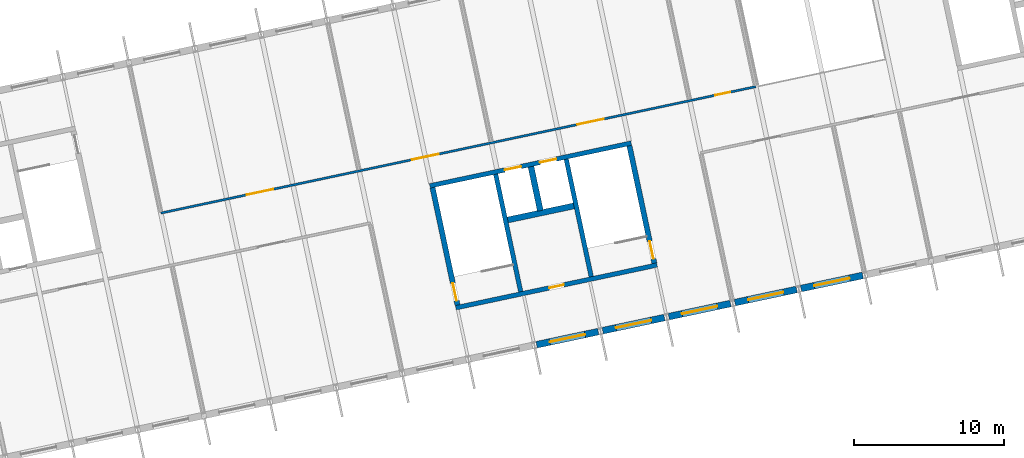
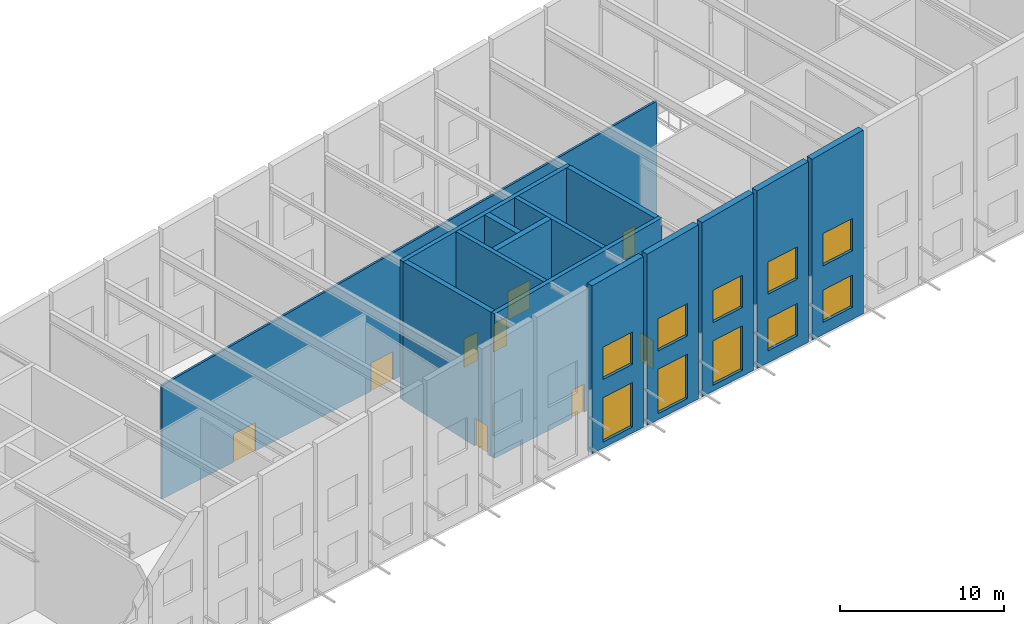
# One storey, part 44 of 69: 14 walls, 10 windows, 9 doors, 19 openings.
"""IFC4 building model written with IfcOpenShell, lengths in metres."""

from ifc_helpers import new_model, si_unit, direction, frame, frame_2d, origin, place, context, subcontext, project, spatial, polyline, rectangle, outline, extrude, material, layer, layer_set, type_object, element, fill, save


model = new_model("IFC4")

# Units and contexts
model_context = context("Model", 3, precision=1e-05, world=origin(), true_north=direction((0.0, 1.0)))
body_context = subcontext(model_context, "Body", "Model", "MODEL_VIEW")
ifc_project = project(units=[si_unit("LENGTHUNIT", "METRE"), si_unit("AREAUNIT", "SQUARE_METRE"), si_unit("VOLUMEUNIT", "CUBIC_METRE"), si_unit("PLANEANGLEUNIT", "RADIAN"), si_unit("MASSUNIT", "GRAM", prefix="KILO")], contexts=[model_context])

# Site, building, storey
site_placement = place(None, origin())
site = spatial("IfcSite", under=ifc_project, at=site_placement, CompositionType="ELEMENT")
building_placement = place(site_placement, origin())
building = spatial("IfcBuilding", under=site, at=building_placement, Name="Okhra Congress Centre", CompositionType="ELEMENT")
storey_placement = place(building_placement, frame((0.0, 0.0, 16.800048828125)))
storey = spatial("IfcBuildingStorey", under=building, at=storey_placement, Name="L03", CompositionType="ELEMENT", Elevation=16.800048828125)

# Wall, openings, windows
ifc_material_1 = material(Name="Insulated metal panel on steel stud (mineral wool, vapour barrier)", Category="steel")
ifc_layer_1 = layer(ifc_material_1, 0.449951171875)
ifc_layer_set_1 = layer_set([ifc_layer_1], Name="Insulated wall 450")
wall_type_1 = type_object("IfcWallType", Name="Insulated wall 450", PredefinedType="SOLIDWALL", material=ifc_layer_set_1)
wall_1_placement = place(storey_placement, frame((140.3876953125, 43.68115234375, 0.0), z_axis=(0.0, 0.0, 1.0), x_axis=(0.978143927149, 0.207928972925, 0.0)))
wall_1 = element("IfcWall", 1, at=wall_1_placement, inside=storey, type_object=wall_type_1, Name="External wall S19 L03", PredefinedType="SOLIDWALL", context=body_context, shape_type="SweptSolid", body=[
    extrude(outline(polyline([(0.0, 0.0), (4.199951171875, 0.0), (4.199951171875, 12.6865234375), (0.0, 12.4619140625), (0.0, 0.0)])), frame((0.0, 0.22509765625, 0.0), z_axis=(0.0, -1.0, 0.0), x_axis=(1.0, 0.0, 0.0)), (0.0, 0.0, 1.0), 0.449951171875),
])
opening_1_placement = place(wall_1_placement, frame((0.89990234375, 0.0, 0.449951171875)))
opening_1 = element("IfcOpeningElement", 2, at=opening_1_placement, cuts=wall_1, Name="Opening WN21", PredefinedType="OPENING", context=body_context, shape_type="SweptSolid", body=[
    extrude(rectangle(XDim=2.39990234375, YDim=3.300048828125, at=frame_2d((1.199951171875, 1.64990234375))), frame((0.0, 0.23486328125, 0.0), z_axis=(0.0, -1.0, 0.0), x_axis=(1.0, 0.0, 0.0)), (0.0, 0.0, 1.0), 0.469970703125),
])
opening_2_placement = place(wall_1_placement, frame((0.89990234375, 0.0, 5.10009765625)))
opening_2 = element("IfcOpeningElement", 3, at=opening_2_placement, cuts=wall_1, Name="Opening WN22", PredefinedType="OPENING", context=body_context, shape_type="SweptSolid", body=[
    extrude(rectangle(XDim=2.39990234375, YDim=2.39990234375, at=frame_2d((1.199951171875, 1.199951171875))), frame((0.0, 0.23486328125, 0.0), z_axis=(0.0, -1.0, 0.0), x_axis=(1.0, 0.0, 0.0)), (0.0, 0.0, 1.0), 0.469970703125),
])
ifc_material_2 = material(Name="Thermally broken aluminium frame, triple glazing", Category="aluminium")
window_type_1 = type_object("IfcWindowType", Name="Fixed window 2400x2400", PartitioningType="SINGLE_PANEL", PredefinedType="WINDOW", material=ifc_material_2)
window_1_placement = place(opening_2_placement, origin())
window_1 = element("IfcWindow", 4, at=window_1_placement, inside=storey, type_object=window_type_1, Name="BX.WIN.L03.30", OverallHeight=2.39990234375, OverallWidth=2.39990234375, PartitioningType="SINGLE_PANEL", PredefinedType="WINDOW", context=body_context, shape_type="SweptSolid", body=[
    extrude(rectangle(XDim=2.39990234375, YDim=2.39990234375, at=frame_2d((1.199951171875, 1.199951171875))), frame((0.0, 0.030029296875, 0.0), z_axis=(0.0, -1.0, 0.0), x_axis=(1.0, 0.0, 0.0)), (0.0, 0.0, 1.0), 0.06005859375),
])
fill(opening_2, window_1)
window_type_2 = type_object("IfcWindowType", Name="Two-light window 2400x3300", PartitioningType="DOUBLE_PANEL_VERTICAL", PredefinedType="WINDOW", material=ifc_material_2)
window_2_placement = place(opening_1_placement, origin())
window_2 = element("IfcWindow", 5, at=window_2_placement, inside=storey, type_object=window_type_2, Name="BX.WIN.L03.29", OverallHeight=3.300048828125, OverallWidth=2.39990234375, PartitioningType="DOUBLE_PANEL_VERTICAL", PredefinedType="WINDOW", context=body_context, shape_type="SweptSolid", body=[
    extrude(rectangle(XDim=2.39990234375, YDim=3.300048828125, at=frame_2d((1.199951171875, 1.64990234375))), frame((0.0, 0.030029296875, 0.0), z_axis=(0.0, -1.0, 0.0), x_axis=(1.0, 0.0, 0.0)), (0.0, 0.0, 1.0), 0.06005859375),
])
fill(opening_1, window_2)

wall_2_placement = place(storey_placement, frame((144.789306640625, 44.616943359375, 0.0), z_axis=(0.0, 0.0, 1.0), x_axis=(0.978155748334, 0.207873355681, 0.0)))
wall_2 = element("IfcWall", 6, at=wall_2_placement, inside=storey, type_object=wall_type_1, Name="External wall S20 L03", PredefinedType="SOLIDWALL", context=body_context, shape_type="SweptSolid", body=[
    extrude(outline(polyline([(0.0, 0.0), (4.199951171875, 0.0), (4.199951171875, 12.92724609375), (0.0, 12.70263671875), (0.0, 0.0)])), frame((0.0, 0.22509765625, 0.0), z_axis=(0.0, -1.0, 0.0), x_axis=(1.0, 0.0, 0.0)), (0.0, 0.0, 1.0), 0.449951171875),
])
opening_3_placement = place(wall_2_placement, frame((0.89990234375, 0.0, 0.449951171875)))
opening_3 = element("IfcOpeningElement", 7, at=opening_3_placement, cuts=wall_2, Name="Opening WN21", PredefinedType="OPENING", context=body_context, shape_type="SweptSolid", body=[
    extrude(rectangle(XDim=2.39990234375, YDim=3.300048828125, at=frame_2d((1.199951171875, 1.64990234375))), frame((0.0, 0.23486328125, 0.0), z_axis=(0.0, -1.0, 0.0), x_axis=(1.0, 0.0, 0.0)), (0.0, 0.0, 1.0), 0.469970703125),
])
opening_4_placement = place(wall_2_placement, frame((0.89990234375, 0.0, 5.10009765625)))
opening_4 = element("IfcOpeningElement", 8, at=opening_4_placement, cuts=wall_2, Name="Opening WN22", PredefinedType="OPENING", context=body_context, shape_type="SweptSolid", body=[
    extrude(rectangle(XDim=2.39990234375, YDim=2.39990234375, at=frame_2d((1.199951171875, 1.199951171875))), frame((0.0, 0.23486328125, 0.0), z_axis=(0.0, -1.0, 0.0), x_axis=(1.0, 0.0, 0.0)), (0.0, 0.0, 1.0), 0.469970703125),
])
window_3_placement = place(opening_4_placement, origin())
window_3 = element("IfcWindow", 9, at=window_3_placement, inside=storey, type_object=window_type_1, Name="BX.WIN.L03.32", OverallHeight=2.39990234375, OverallWidth=2.39990234375, PartitioningType="SINGLE_PANEL", PredefinedType="WINDOW", context=body_context, shape_type="SweptSolid", body=[
    extrude(rectangle(XDim=2.39990234375, YDim=2.39990234375, at=frame_2d((1.199951171875, 1.199951171875))), frame((0.0, 0.030029296875, 0.0), z_axis=(0.0, -1.0, 0.0), x_axis=(1.0, 0.0, 0.0)), (0.0, 0.0, 1.0), 0.06005859375),
])
fill(opening_4, window_3)
window_4_placement = place(opening_3_placement, origin())
window_4 = element("IfcWindow", 10, at=window_4_placement, inside=storey, type_object=window_type_2, Name="BX.WIN.L03.31", OverallHeight=3.300048828125, OverallWidth=2.39990234375, PartitioningType="DOUBLE_PANEL_VERTICAL", PredefinedType="WINDOW", context=body_context, shape_type="SweptSolid", body=[
    extrude(rectangle(XDim=2.39990234375, YDim=3.300048828125, at=frame_2d((1.199951171875, 1.64990234375))), frame((0.0, 0.030029296875, 0.0), z_axis=(0.0, -1.0, 0.0), x_axis=(1.0, 0.0, 0.0)), (0.0, 0.0, 1.0), 0.06005859375),
])
fill(opening_3, window_4)

wall_3_placement = place(storey_placement, frame((149.19091796875, 45.552490234375, 0.0), z_axis=(0.0, 0.0, 1.0), x_axis=(0.978146440129, 0.207917150959, 0.0)))
wall_3 = element("IfcWall", 11, at=wall_3_placement, inside=storey, type_object=wall_type_1, Name="External wall S21 L03", PredefinedType="SOLIDWALL", context=body_context, shape_type="SweptSolid", body=[
    extrude(outline(polyline([(0.0, 0.0), (4.2001953125, 0.0), (4.199951171875, 13.168212890625), (0.0, 12.943359375), (0.0, 0.0)])), frame((0.0, 0.22509765625, 0.0), z_axis=(0.0, -1.0, 0.0), x_axis=(1.0, 0.0, 0.0)), (0.0, 0.0, 1.0), 0.449951171875),
])
opening_5_placement = place(wall_3_placement, frame((0.89990234375, 0.0, 0.449951171875)))
opening_5 = element("IfcOpeningElement", 12, at=opening_5_placement, cuts=wall_3, Name="Opening WN21", PredefinedType="OPENING", context=body_context, shape_type="SweptSolid", body=[
    extrude(rectangle(XDim=2.39990234375, YDim=3.300048828125, at=frame_2d((1.199951171875, 1.64990234375))), frame((0.0, 0.23486328125, 0.0), z_axis=(0.0, -1.0, 0.0), x_axis=(1.0, 0.0, 0.0)), (0.0, 0.0, 1.0), 0.469970703125),
])
opening_6_placement = place(wall_3_placement, frame((0.89990234375, 0.0, 5.10009765625)))
opening_6 = element("IfcOpeningElement", 13, at=opening_6_placement, cuts=wall_3, Name="Opening WN22", PredefinedType="OPENING", context=body_context, shape_type="SweptSolid", body=[
    extrude(rectangle(XDim=2.39990234375, YDim=2.39990234375, at=frame_2d((1.199951171875, 1.199951171875))), frame((0.0, 0.23486328125, 0.0), z_axis=(0.0, -1.0, 0.0), x_axis=(1.0, 0.0, 0.0)), (0.0, 0.0, 1.0), 0.469970703125),
])
window_5_placement = place(opening_6_placement, origin())
window_5 = element("IfcWindow", 14, at=window_5_placement, inside=storey, type_object=window_type_1, Name="BX.WIN.L03.34", OverallHeight=2.39990234375, OverallWidth=2.39990234375, PartitioningType="SINGLE_PANEL", PredefinedType="WINDOW", context=body_context, shape_type="SweptSolid", body=[
    extrude(rectangle(XDim=2.39990234375, YDim=2.39990234375, at=frame_2d((1.199951171875, 1.199951171875))), frame((0.0, 0.030029296875, 0.0), z_axis=(0.0, -1.0, 0.0), x_axis=(1.0, 0.0, 0.0)), (0.0, 0.0, 1.0), 0.06005859375),
])
fill(opening_6, window_5)
window_6_placement = place(opening_5_placement, origin())
window_6 = element("IfcWindow", 15, at=window_6_placement, inside=storey, type_object=window_type_2, Name="BX.WIN.L03.33", OverallHeight=3.300048828125, OverallWidth=2.39990234375, PartitioningType="DOUBLE_PANEL_VERTICAL", PredefinedType="WINDOW", context=body_context, shape_type="SweptSolid", body=[
    extrude(rectangle(XDim=2.39990234375, YDim=3.300048828125, at=frame_2d((1.199951171875, 1.64990234375))), frame((0.0, 0.030029296875, 0.0), z_axis=(0.0, -1.0, 0.0), x_axis=(1.0, 0.0, 0.0)), (0.0, 0.0, 1.0), 0.06005859375),
])
fill(opening_5, window_6)

wall_4_placement = place(storey_placement, frame((153.5927734375, 46.488037109375, 0.0), z_axis=(0.0, 0.0, 1.0), x_axis=(0.978143927149, 0.207928972925, 0.0)))
wall_4 = element("IfcWall", 16, at=wall_4_placement, inside=storey, type_object=wall_type_1, Name="External wall S22 L03", PredefinedType="SOLIDWALL", context=body_context, shape_type="SweptSolid", body=[
    extrude(outline(polyline([(0.0, 0.0), (4.199951171875, 0.0), (4.199951171875, 13.408935546875), (0.0, 13.18408203125), (0.0, 0.0)])), frame((0.0, 0.22509765625, 0.0), z_axis=(0.0, -1.0, 0.0), x_axis=(1.0, 0.0, 0.0)), (0.0, 0.0, 1.0), 0.449951171875),
])
opening_7_placement = place(wall_4_placement, frame((0.89990234375, 0.0, 0.89990234375)))
opening_7 = element("IfcOpeningElement", 17, at=opening_7_placement, cuts=wall_4, Name="Opening WN22", PredefinedType="OPENING", context=body_context, shape_type="SweptSolid", body=[
    extrude(rectangle(XDim=2.39990234375, YDim=2.39990234375, at=frame_2d((1.199951171875, 1.199951171875))), frame((0.0, 0.23486328125, 0.0), z_axis=(0.0, -1.0, 0.0), x_axis=(1.0, 0.0, 0.0)), (0.0, 0.0, 1.0), 0.469970703125),
])
opening_8_placement = place(wall_4_placement, frame((0.89990234375, 0.0, 5.10009765625)))
opening_8 = element("IfcOpeningElement", 18, at=opening_8_placement, cuts=wall_4, Name="Opening WN22", PredefinedType="OPENING", context=body_context, shape_type="SweptSolid", body=[
    extrude(rectangle(XDim=2.39990234375, YDim=2.39990234375, at=frame_2d((1.199951171875, 1.199951171875))), frame((0.0, 0.23486328125, 0.0), z_axis=(0.0, -1.0, 0.0), x_axis=(1.0, 0.0, 0.0)), (0.0, 0.0, 1.0), 0.469970703125),
])
window_7_placement = place(opening_7_placement, origin())
window_7 = element("IfcWindow", 19, at=window_7_placement, inside=storey, type_object=window_type_1, Name="BX.WIN.L03.35", OverallHeight=2.39990234375, OverallWidth=2.39990234375, PartitioningType="SINGLE_PANEL", PredefinedType="WINDOW", context=body_context, shape_type="SweptSolid", body=[
    extrude(rectangle(XDim=2.39990234375, YDim=2.39990234375, at=frame_2d((1.199951171875, 1.199951171875))), frame((0.0, 0.030029296875, 0.0), z_axis=(0.0, -1.0, 0.0), x_axis=(1.0, 0.0, 0.0)), (0.0, 0.0, 1.0), 0.06005859375),
])
fill(opening_7, window_7)
window_8_placement = place(opening_8_placement, origin())
window_8 = element("IfcWindow", 20, at=window_8_placement, inside=storey, type_object=window_type_1, Name="BX.WIN.L03.36", OverallHeight=2.39990234375, OverallWidth=2.39990234375, PartitioningType="SINGLE_PANEL", PredefinedType="WINDOW", context=body_context, shape_type="SweptSolid", body=[
    extrude(rectangle(XDim=2.39990234375, YDim=2.39990234375, at=frame_2d((1.199951171875, 1.199951171875))), frame((0.0, 0.030029296875, 0.0), z_axis=(0.0, -1.0, 0.0), x_axis=(1.0, 0.0, 0.0)), (0.0, 0.0, 1.0), 0.06005859375),
])
fill(opening_8, window_8)

wall_5_placement = place(storey_placement, frame((157.994384765625, 47.423583984375, 0.0), z_axis=(0.0, 0.0, 1.0), x_axis=(0.978143927149, 0.207928972925, 0.0)))
wall_5 = element("IfcWall", 21, at=wall_5_placement, inside=storey, type_object=wall_type_1, Name="External wall S23 L03", PredefinedType="SOLIDWALL", context=body_context, shape_type="SweptSolid", body=[
    extrude(outline(polyline([(0.0, 0.0), (4.199951171875, 0.0), (4.199951171875, 13.649658203125), (0.0, 13.425048828125), (0.0, 0.0)])), frame((0.0, 0.22509765625, 0.0), z_axis=(0.0, -1.0, 0.0), x_axis=(1.0, 0.0, 0.0)), (0.0, 0.0, 1.0), 0.449951171875),
])
opening_9_placement = place(wall_5_placement, frame((0.89990234375, 0.0, 0.89990234375)))
opening_9 = element("IfcOpeningElement", 22, at=opening_9_placement, cuts=wall_5, Name="Opening WN22", PredefinedType="OPENING", context=body_context, shape_type="SweptSolid", body=[
    extrude(rectangle(XDim=2.39990234375, YDim=2.39990234375, at=frame_2d((1.199951171875, 1.199951171875))), frame((0.0, 0.23486328125, 0.0), z_axis=(0.0, -1.0, 0.0), x_axis=(1.0, 0.0, 0.0)), (0.0, 0.0, 1.0), 0.469970703125),
])
opening_10_placement = place(wall_5_placement, frame((0.89990234375, 0.0, 5.10009765625)))
opening_10 = element("IfcOpeningElement", 23, at=opening_10_placement, cuts=wall_5, Name="Opening WN22", PredefinedType="OPENING", context=body_context, shape_type="SweptSolid", body=[
    extrude(rectangle(XDim=2.39990234375, YDim=2.39990234375, at=frame_2d((1.199951171875, 1.199951171875))), frame((0.0, 0.23486328125, 0.0), z_axis=(0.0, -1.0, 0.0), x_axis=(1.0, 0.0, 0.0)), (0.0, 0.0, 1.0), 0.469970703125),
])
window_9_placement = place(opening_9_placement, origin())
window_9 = element("IfcWindow", 24, at=window_9_placement, inside=storey, type_object=window_type_1, Name="BX.WIN.L03.37", OverallHeight=2.39990234375, OverallWidth=2.39990234375, PartitioningType="SINGLE_PANEL", PredefinedType="WINDOW", context=body_context, shape_type="SweptSolid", body=[
    extrude(rectangle(XDim=2.39990234375, YDim=2.39990234375, at=frame_2d((1.199951171875, 1.199951171875))), frame((0.0, 0.030029296875, 0.0), z_axis=(0.0, -1.0, 0.0), x_axis=(1.0, 0.0, 0.0)), (0.0, 0.0, 1.0), 0.06005859375),
])
fill(opening_9, window_9)
window_10_placement = place(opening_10_placement, origin())
window_10 = element("IfcWindow", 25, at=window_10_placement, inside=storey, type_object=window_type_1, Name="BX.WIN.L03.38", OverallHeight=2.39990234375, OverallWidth=2.39990234375, PartitioningType="SINGLE_PANEL", PredefinedType="WINDOW", context=body_context, shape_type="SweptSolid", body=[
    extrude(rectangle(XDim=2.39990234375, YDim=2.39990234375, at=frame_2d((1.199951171875, 1.199951171875))), frame((0.0, 0.030029296875, 0.0), z_axis=(0.0, -1.0, 0.0), x_axis=(1.0, 0.0, 0.0)), (0.0, 0.0, 1.0), 0.06005859375),
])
fill(opening_10, window_10)

# Wall, openings, doors
ifc_material_3 = material(Name="Gypsum board on steel studs", Category="steel")
ifc_layer_2 = layer(ifc_material_3, 0.14990234375)
ifc_layer_set_2 = layer_set([ifc_layer_2], Name="Partition 150 EI 15")
wall_type_2 = type_object("IfcWallType", Name="Partition 150 EI 15", PredefinedType="PARTITIONING", material=ifc_layer_set_2)
wall_6_placement = place(storey_placement, frame((115.36865234375, 52.446044921875, 0.0), z_axis=(0.0, 0.0, 1.0), x_axis=(0.978147680869, 0.207911313813, 0.0)))
wall_6 = element("IfcWall", 26, at=wall_6_placement, inside=storey, type_object=wall_type_2, Name="Corridor wall N2 L03", PredefinedType="PARTITIONING", context=body_context, shape_type="SweptSolid", body=[
    extrude(outline(polyline([(0.0, 0.0), (40.5, 0.0), (40.5, 10.594970703125), (0.0, 8.427978515625), (0.0, 0.0)])), frame((0.0, 0.074951171875, 0.0), z_axis=(0.0, -1.0, 0.0), x_axis=(1.0, 0.0, 0.0)), (0.0, 0.0, 1.0), 0.14990234375),
])
opening_11_placement = place(wall_6_placement, frame((5.85009765625, 0.0, 0.0)))
opening_11 = element("IfcOpeningElement", 27, at=opening_11_placement, cuts=wall_6, Name="Opening L03-059", PredefinedType="OPENING", context=body_context, shape_type="SweptSolid", body=[
    extrude(rectangle(XDim=1.800048828125, YDim=2.10009765625, at=frame_2d((0.89990234375, 1.050048828125))), frame((0.0, 0.0849609375, 0.0), z_axis=(0.0, -1.0, 0.0), x_axis=(1.0, 0.0, 0.0)), (0.0, 0.0, 1.0), 0.169921875),
])
opening_12_placement = place(wall_6_placement, frame((17.10009765625, 0.0, 0.0)))
opening_12 = element("IfcOpeningElement", 28, at=opening_12_placement, cuts=wall_6, Name="Opening L03-060", PredefinedType="OPENING", context=body_context, shape_type="SweptSolid", body=[
    extrude(rectangle(XDim=1.800048828125, YDim=2.10009765625, at=frame_2d((0.89990234375, 1.050048828125))), frame((0.0, 0.0849609375, 0.0), z_axis=(0.0, -1.0, 0.0), x_axis=(1.0, 0.0, 0.0)), (0.0, 0.0, 1.0), 0.169921875),
])
opening_13_placement = place(wall_6_placement, frame((28.35009765625, 0.0, 0.0)))
opening_13 = element("IfcOpeningElement", 29, at=opening_13_placement, cuts=wall_6, Name="Opening L03-061", PredefinedType="OPENING", context=body_context, shape_type="SweptSolid", body=[
    extrude(rectangle(XDim=1.800048828125, YDim=2.10009765625, at=frame_2d((0.89990234375, 1.050048828125))), frame((0.0, 0.0849609375, 0.0), z_axis=(0.0, -1.0, 0.0), x_axis=(1.0, 0.0, 0.0)), (0.0, 0.0, 1.0), 0.169921875),
])
opening_14_placement = place(wall_6_placement, frame((37.75, 0.0, 0.0)))
opening_14 = element("IfcOpeningElement", 30, at=opening_14_placement, cuts=wall_6, Name="Opening L03-062", PredefinedType="OPENING", context=body_context, shape_type="SweptSolid", body=[
    extrude(rectangle(XDim=1.0, YDim=2.10009765625, at=frame_2d((0.5, 1.050048828125))), frame((0.0, 0.0849609375, 0.0), z_axis=(0.0, -1.0, 0.0), x_axis=(1.0, 0.0, 0.0)), (0.0, 0.0, 1.0), 0.169921875),
])
ifc_material_4 = material(Name="Timber door leaves in steel frame", Category="steel")
door_type_1 = type_object("IfcDoorType", Name="Double swing door 1800x2100", OperationType="NOTDEFINED", PredefinedType="DOOR", material=ifc_material_4)
door_1_placement = place(opening_11_placement, frame((1.800048828125, 0.0, 0.0), z_axis=(0.0, 0.0, 1.0), x_axis=(-1.0, 0.0, 0.0)))
door_1 = element("IfcDoor", 31, at=door_1_placement, inside=storey, type_object=door_type_1, Name="Door L03-059", OperationType="DOUBLE_DOOR_SINGLE_SWING", OverallHeight=2.10009765625, OverallWidth=1.800048828125, PredefinedType="DOOR", context=body_context, shape_type="SweptSolid", body=[
    extrude(rectangle(XDim=1.800048828125, YDim=2.10009765625, at=frame_2d((0.89990234375, 1.050048828125))), frame((0.0, 0.02490234375, 0.0), z_axis=(0.0, -1.0, 0.0), x_axis=(1.0, 0.0, 0.0)), (0.0, 0.0, 1.0), 0.050048828125),
])
fill(opening_11, door_1)
door_2_placement = place(opening_12_placement, frame((1.800048828125, 0.0, 0.0), z_axis=(0.0, 0.0, 1.0), x_axis=(-1.0, 0.0, 0.0)))
door_2 = element("IfcDoor", 32, at=door_2_placement, inside=storey, type_object=door_type_1, Name="Door L03-060", OperationType="DOUBLE_DOOR_SINGLE_SWING", OverallHeight=2.10009765625, OverallWidth=1.800048828125, PredefinedType="DOOR", context=body_context, shape_type="SweptSolid", body=[
    extrude(rectangle(XDim=1.800048828125, YDim=2.10009765625, at=frame_2d((0.89990234375, 1.050048828125))), frame((0.0, 0.02490234375, 0.0), z_axis=(0.0, -1.0, 0.0), x_axis=(1.0, 0.0, 0.0)), (0.0, 0.0, 1.0), 0.050048828125),
])
fill(opening_12, door_2)
door_3_placement = place(opening_13_placement, frame((1.800048828125, 0.0, 0.0), z_axis=(0.0, 0.0, 1.0), x_axis=(-1.0, 0.0, 0.0)))
door_3 = element("IfcDoor", 33, at=door_3_placement, inside=storey, type_object=door_type_1, Name="Door L03-061", OperationType="DOUBLE_DOOR_SINGLE_SWING", OverallHeight=2.10009765625, OverallWidth=1.800048828125, PredefinedType="DOOR", context=body_context, shape_type="SweptSolid", body=[
    extrude(rectangle(XDim=1.800048828125, YDim=2.10009765625, at=frame_2d((0.89990234375, 1.050048828125))), frame((0.0, 0.02490234375, 0.0), z_axis=(0.0, -1.0, 0.0), x_axis=(1.0, 0.0, 0.0)), (0.0, 0.0, 1.0), 0.050048828125),
])
fill(opening_13, door_3)
ifc_material_5 = material(Name="Timber door leaf in steel frame", Category="steel")
door_type_2 = type_object("IfcDoorType", Name="Single swing door 1000x2100", OperationType="NOTDEFINED", PredefinedType="DOOR", material=ifc_material_5)
door_4_placement = place(opening_14_placement, origin())
door_4 = element("IfcDoor", 34, at=door_4_placement, inside=storey, type_object=door_type_2, Name="Door L03-062", OperationType="SINGLE_SWING_RIGHT", OverallHeight=2.10009765625, OverallWidth=1.0, PredefinedType="DOOR", context=body_context, shape_type="SweptSolid", body=[
    extrude(rectangle(XDim=1.0, YDim=2.10009765625, at=frame_2d((0.5, 1.050048828125))), frame((0.0, 0.02490234375, 0.0), z_axis=(0.0, -1.0, 0.0), x_axis=(1.0, 0.0, 0.0)), (0.0, 0.0, 1.0), 0.050048828125),
])
fill(opening_14, door_4)

# Wall, opening, door
ifc_material_6 = material(Name="Concrete C35/45", Category="concrete")
ifc_layer_3 = layer(ifc_material_6, 0.300048828125)
ifc_layer_set_3 = layer_set([ifc_layer_3], Name="RC core wall 300 REI 120 C35/45")
wall_type_3 = type_object("IfcWallType", Name="RC core wall 300 REI 120 C35/45", PredefinedType="SHEAR", material=ifc_layer_set_3)
wall_7_placement = place(storey_placement, frame((135.008544921875, 46.1416015625, 0.0), z_axis=(0.0, 0.0, 1.0), x_axis=(0.978147662755, 0.20791139903, 0.0)))
wall_7 = element("IfcWall", 35, at=wall_7_placement, inside=storey, type_object=wall_type_3, Name="BX.WALL.L03.K3S", PredefinedType="SHEAR", context=body_context, shape_type="SweptSolid", body=[
    extrude(outline(polyline([(0.0, 0.0), (13.699951171875, 0.0), (13.699951171875, 11.4560546875), (0.0, 10.722900390625), (0.0, 0.0)])), frame((0.0, 0.14990234375, 0.0), z_axis=(0.0, -1.0, 0.0), x_axis=(1.0, 0.0, 0.0)), (0.0, 0.0, 1.0), 0.300048828125),
])
opening_15_placement = place(wall_7_placement, frame((6.35009765625, 0.0, 0.0)))
opening_15 = element("IfcOpeningElement", 36, at=opening_15_placement, cuts=wall_7, Name="Opening L03-033", PredefinedType="OPENING", context=body_context, shape_type="SweptSolid", body=[
    extrude(rectangle(XDim=1.0, YDim=2.10009765625, at=frame_2d((0.5, 1.050048828125))), frame((0.0, 0.159912109375, 0.0), z_axis=(0.0, -1.0, 0.0), x_axis=(1.0, 0.0, 0.0)), (0.0, 0.0, 1.0), 0.320068359375),
])
ifc_material_7 = material(Name="Steel fire door leaf in steel frame, intumescent seals", Category="steel")
door_type_3 = type_object("IfcDoorType", Name="Steel fire door 1000x2100 EI 30", OperationType="NOTDEFINED", PredefinedType="DOOR", material=ifc_material_7)
door_5_placement = place(opening_15_placement, origin())
door_5 = element("IfcDoor", 37, at=door_5_placement, inside=storey, type_object=door_type_3, Name="Door L03-033", OperationType="SINGLE_SWING_RIGHT", OverallHeight=2.10009765625, OverallWidth=1.0, PredefinedType="DOOR", context=body_context, shape_type="SweptSolid", body=[
    extrude(rectangle(XDim=1.0, YDim=2.10009765625, at=frame_2d((0.5, 1.050048828125))), frame((0.0, 0.02490234375, 0.0), z_axis=(0.0, -1.0, 0.0), x_axis=(1.0, 0.0, 0.0)), (0.0, 0.0, 1.0), 0.050048828125),
])
fill(opening_15, door_5)

# Wall, openings, doors
wall_8_placement = place(storey_placement, frame((133.282958984375, 54.26025390625, 0.0), z_axis=(0.0, 0.0, 1.0), x_axis=(0.978147662755, 0.20791139903, 0.0)))
wall_8 = element("IfcWall", 38, at=wall_8_placement, inside=storey, type_object=wall_type_3, Name="BX.WALL.L03.K3T", PredefinedType="SHEAR", context=body_context, shape_type="SweptSolid", body=[
    extrude(outline(polyline([(0.0, 0.0), (13.699951171875, 0.0), (13.699951171875, 11.02099609375), (0.0, 10.2880859375), (0.0, 0.0)])), frame((0.0, 0.14990234375, 0.0), z_axis=(0.0, -1.0, 0.0), x_axis=(1.0, 0.0, 0.0)), (0.0, 0.0, 1.0), 0.300048828125),
])
opening_16_placement = place(wall_8_placement, frame((5.10009765625, 0.0, 0.0)))
opening_16 = element("IfcOpeningElement", 39, at=opening_16_placement, cuts=wall_8, Name="Opening L03-029", PredefinedType="OPENING", context=body_context, shape_type="SweptSolid", body=[
    extrude(rectangle(XDim=1.10009765625, YDim=2.10009765625, at=frame_2d((0.550048828125, 1.050048828125))), frame((0.0, 0.159912109375, 0.0), z_axis=(0.0, -1.0, 0.0), x_axis=(1.0, 0.0, 0.0)), (0.0, 0.0, 1.0), 0.320068359375),
])
opening_17_placement = place(wall_8_placement, frame((7.5, 0.0, 0.0)))
opening_17 = element("IfcOpeningElement", 40, at=opening_17_placement, cuts=wall_8, Name="Opening L03-030", PredefinedType="OPENING", context=body_context, shape_type="SweptSolid", body=[
    extrude(rectangle(XDim=1.10009765625, YDim=2.10009765625, at=frame_2d((0.550048828125, 1.050048828125))), frame((0.0, 0.159912109375, 0.0), z_axis=(0.0, -1.0, 0.0), x_axis=(1.0, 0.0, 0.0)), (0.0, 0.0, 1.0), 0.320068359375),
])
ifc_material_8 = material(Name="Stainless steel sliding landing door leaves", Category="steel")
door_type_4 = type_object("IfcDoorType", Name="Lift landing door 1100x2100 EI 30", OperationType="DOUBLE_DOOR_SLIDING", PredefinedType="DOOR", material=ifc_material_8)
door_6_placement = place(opening_16_placement, origin())
door_6 = element("IfcDoor", 41, at=door_6_placement, inside=storey, type_object=door_type_4, Name="Door L03-029", OperationType="DOUBLE_DOOR_SLIDING", OverallHeight=2.10009765625, OverallWidth=1.10009765625, PredefinedType="DOOR", context=body_context, shape_type="SweptSolid", body=[
    extrude(rectangle(XDim=1.10009765625, YDim=2.10009765625, at=frame_2d((0.550048828125, 1.050048828125))), frame((0.0, 0.02490234375, 0.0), z_axis=(0.0, -1.0, 0.0), x_axis=(1.0, 0.0, 0.0)), (0.0, 0.0, 1.0), 0.050048828125),
])
fill(opening_16, door_6)
door_7_placement = place(opening_17_placement, origin())
door_7 = element("IfcDoor", 42, at=door_7_placement, inside=storey, type_object=door_type_4, Name="Door L03-030", OperationType="DOUBLE_DOOR_SLIDING", OverallHeight=2.10009765625, OverallWidth=1.10009765625, PredefinedType="DOOR", context=body_context, shape_type="SweptSolid", body=[
    extrude(rectangle(XDim=1.10009765625, YDim=2.10009765625, at=frame_2d((0.550048828125, 1.050048828125))), frame((0.0, 0.02490234375, 0.0), z_axis=(0.0, -1.0, 0.0), x_axis=(1.0, 0.0, 0.0)), (0.0, 0.0, 1.0), 0.050048828125),
])
fill(opening_17, door_7)

# Walls
wall_9_placement = place(storey_placement, frame((139.330078125, 47.213623046875, 0.0), z_axis=(0.0, 0.0, 1.0), x_axis=(-0.207915693476, 0.978146749934, 0.0)))
element("IfcWall", 43, at=wall_9_placement, inside=storey, type_object=wall_type_3, Name="BX.WALL.L03.K3P1", PredefinedType="SHEAR", context=body_context, shape_type="SweptSolid", body=[
    extrude(outline(polyline([(0.0, 0.0), (8.0, 0.0), (8.0, 10.533935546875), (0.0, 10.953125), (0.0, 0.0)])), frame((0.0, 0.14990234375, 0.0), z_axis=(0.0, -1.0, 0.0), x_axis=(1.0, 0.0, 0.0)), (0.0, 0.0, 1.0), 0.300048828125),
])
wall_10_placement = place(storey_placement, frame((144.025146484375, 48.211669921875, 0.0), z_axis=(0.0, 0.0, 1.0), x_axis=(-0.207886494942, 0.978152955943, 0.0)))
element("IfcWall", 44, at=wall_10_placement, inside=storey, type_object=wall_type_3, Name="BX.WALL.L03.K3P2", PredefinedType="SHEAR", context=body_context, shape_type="SweptSolid", body=[
    extrude(outline(polyline([(0.0, 0.0), (8.0, 0.0), (8.0, 10.790771484375), (0.0, 11.2099609375), (0.0, 0.0)])), frame((0.0, 0.14990234375, 0.0), z_axis=(0.0, -1.0, 0.0), x_axis=(1.0, 0.0, 0.0)), (0.0, 0.0, 1.0), 0.300048828125),
])
ifc_layer_4 = layer(ifc_material_6, 0.39990234375)
ifc_layer_set_4 = layer_set([ifc_layer_4], Name="RC core wall 400 REI 120 C35/45")
wall_type_4 = type_object("IfcWallType", Name="RC core wall 400 REI 120 C35/45", PredefinedType="SHEAR", material=ifc_layer_set_4)
wall_11_placement = place(storey_placement, frame((140.63818359375, 52.603271484375, 0.0), z_axis=(0.0, 0.0, 1.0), x_axis=(-0.207917150959, 0.978146440129, 0.0)))
element("IfcWall", 45, at=wall_11_placement, inside=storey, type_object=wall_type_4, Name="BX.WALL.L03.K3D", PredefinedType="SHEAR", context=body_context, shape_type="SweptSolid", body=[
    extrude(outline(polyline([(0.0, 0.0), (3.000244140625, 0.0), (3.0, 10.662353515625), (0.0, 10.819580078125), (0.0, 0.0)])), frame((0.0, 0.199951171875, 0.0), z_axis=(0.0, -1.0, 0.0), x_axis=(1.0, 0.0, 0.0)), (0.0, 0.0, 1.0), 0.39990234375),
])
wall_12_placement = place(storey_placement, frame((138.468505859375, 51.98876953125, 0.0), z_axis=(0.0, 0.0, 1.0), x_axis=(0.978149611564, 0.20790223038, 0.0)))
element("IfcWall", 46, at=wall_12_placement, inside=storey, type_object=wall_type_4, Name="BX.WALL.L03.K3R", PredefinedType="SHEAR", context=body_context, shape_type="SweptSolid", body=[
    extrude(outline(polyline([(0.0, 0.0), (4.5, 0.0), (4.5, 10.94775390625), (0.0, 10.70703125), (0.0, 0.0)])), frame((0.0, 0.199951171875, 0.0), z_axis=(0.0, -1.0, 0.0), x_axis=(1.0, 0.0, 0.0)), (0.0, 0.0, 1.0), 0.39990234375),
])

# Wall, opening, door
ifc_material_9 = material(Name="Concrete C30/37", Category="concrete")
ifc_layer_5 = layer(ifc_material_9, 0.35009765625)
ifc_layer_set_5 = layer_set([ifc_layer_5], Name="RC wall 350 REI 120 C30/37")
wall_type_5 = type_object("IfcWallType", Name="RC wall 350 REI 120 C30/37", PredefinedType="SOLIDWALL", material=ifc_layer_set_5)
wall_13_placement = place(storey_placement, frame((135.1240234375, 46.319580078125, 0.0), z_axis=(0.0, 0.0, 1.0), x_axis=(-0.207886494942, 0.978152955943, 0.0)))
wall_13 = element("IfcWall", 47, at=wall_13_placement, inside=storey, type_object=wall_type_5, Name="BX.WALL.L03.K3W", PredefinedType="SOLIDWALL", context=body_context, shape_type="SweptSolid", body=[
    extrude(outline(polyline([(0.0, 0.0), (8.0, 0.0), (8.0, 10.303955078125), (0.0, 10.72314453125), (0.0, 0.0)])), frame((0.0, 0.175048828125, 0.0), z_axis=(0.0, -1.0, 0.0), x_axis=(1.0, 0.0, 0.0)), (0.0, 0.0, 1.0), 0.35009765625),
])
opening_18_placement = place(wall_13_placement, frame((0.300048828125, 0.0, 0.0)))
opening_18 = element("IfcOpeningElement", 48, at=opening_18_placement, cuts=wall_13, Name="Opening L03-031", PredefinedType="OPENING", context=body_context, shape_type="SweptSolid", body=[
    extrude(rectangle(XDim=1.199951171875, YDim=2.10009765625, at=frame_2d((0.60009765625, 1.050048828125))), frame((0.0, 0.18505859375, 0.0), z_axis=(0.0, -1.0, 0.0), x_axis=(1.0, 0.0, 0.0)), (0.0, 0.0, 1.0), 0.3701171875),
])
door_type_5 = type_object("IfcDoorType", Name="Steel fire door 1200x2100 EI 30", OperationType="NOTDEFINED", PredefinedType="DOOR", material=ifc_material_7)
door_8_placement = place(opening_18_placement, origin())
door_8 = element("IfcDoor", 49, at=door_8_placement, inside=storey, type_object=door_type_5, Name="Door L03-031", OperationType="SINGLE_SWING_LEFT", OverallHeight=2.10009765625, OverallWidth=1.199951171875, PredefinedType="DOOR", context=body_context, shape_type="SweptSolid", body=[
    extrude(rectangle(XDim=1.199951171875, YDim=2.10009765625, at=frame_2d((0.60009765625, 1.050048828125))), frame((0.0, 0.02490234375, 0.0), z_axis=(0.0, -1.0, 0.0), x_axis=(1.0, 0.0, 0.0)), (0.0, 0.0, 1.0), 0.050048828125),
])
fill(opening_18, door_8)

wall_14_placement = place(storey_placement, frame((148.231201171875, 49.10546875, 0.0), z_axis=(0.0, 0.0, 1.0), x_axis=(-0.207886494942, 0.978152955943, 0.0)))
wall_14 = element("IfcWall", 50, at=wall_14_placement, inside=storey, type_object=wall_type_5, Name="BX.WALL.L03.K3E", PredefinedType="SOLIDWALL", context=body_context, shape_type="SweptSolid", body=[
    extrude(outline(polyline([(0.0, 0.0), (8.0, 0.0), (8.0, 11.020751953125), (0.0, 11.440185546875), (0.0, 0.0)])), frame((0.0, 0.175048828125, 0.0), z_axis=(0.0, -1.0, 0.0), x_axis=(1.0, 0.0, 0.0)), (0.0, 0.0, 1.0), 0.35009765625),
])
opening_19_placement = place(wall_14_placement, frame((0.300048828125, 0.0, 0.0)))
opening_19 = element("IfcOpeningElement", 51, at=opening_19_placement, cuts=wall_14, Name="Opening L03-032", PredefinedType="OPENING", context=body_context, shape_type="SweptSolid", body=[
    extrude(rectangle(XDim=1.199951171875, YDim=2.10009765625, at=frame_2d((0.60009765625, 1.050048828125))), frame((0.0, 0.18505859375, 0.0), z_axis=(0.0, -1.0, 0.0), x_axis=(1.0, 0.0, 0.0)), (0.0, 0.0, 1.0), 0.3701171875),
])
door_9_placement = place(opening_19_placement, frame((1.199951171875, 0.0, 0.0), z_axis=(0.0, 0.0, 1.0), x_axis=(-1.0, 0.0, 0.0)))
door_9 = element("IfcDoor", 52, at=door_9_placement, inside=storey, type_object=door_type_5, Name="Door L03-032", OperationType="SINGLE_SWING_LEFT", OverallHeight=2.10009765625, OverallWidth=1.199951171875, PredefinedType="DOOR", context=body_context, shape_type="SweptSolid", body=[
    extrude(rectangle(XDim=1.199951171875, YDim=2.10009765625, at=frame_2d((0.60009765625, 1.050048828125))), frame((0.0, 0.02490234375, 0.0), z_axis=(0.0, -1.0, 0.0), x_axis=(1.0, 0.0, 0.0)), (0.0, 0.0, 1.0), 0.050048828125),
])
fill(opening_19, door_9)

save(model, "model.ifc")
